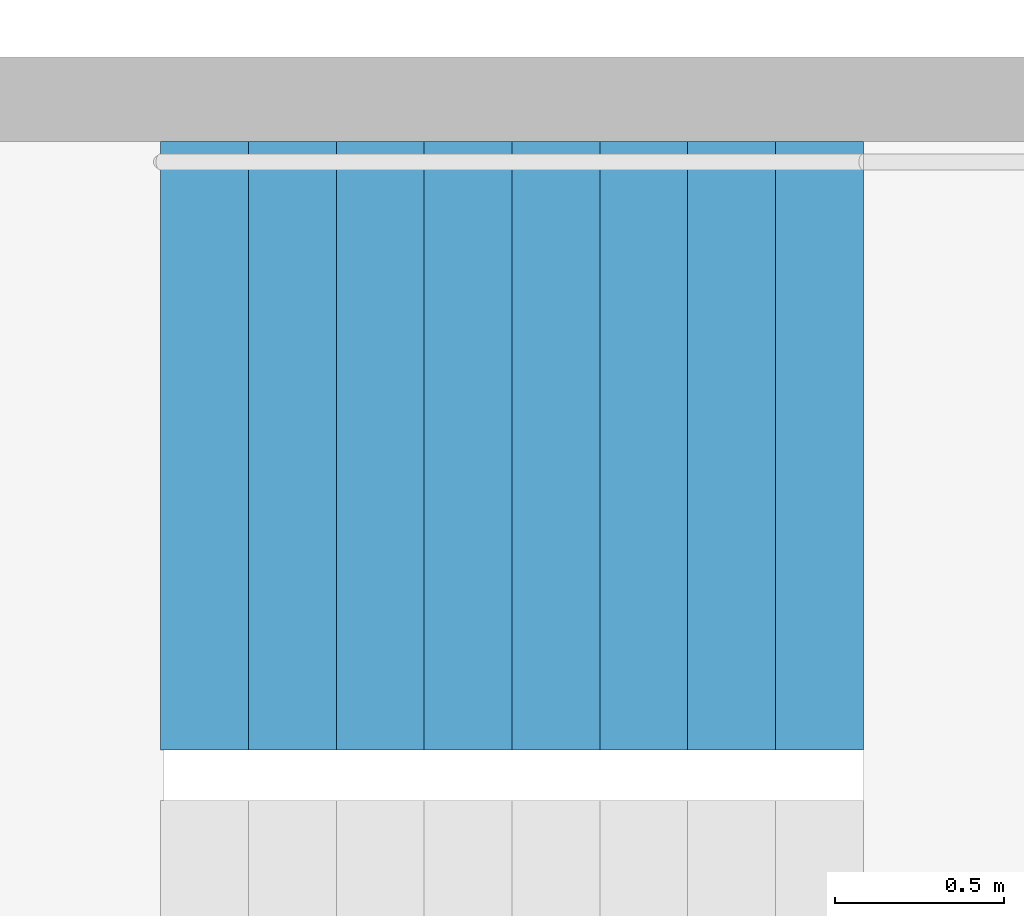
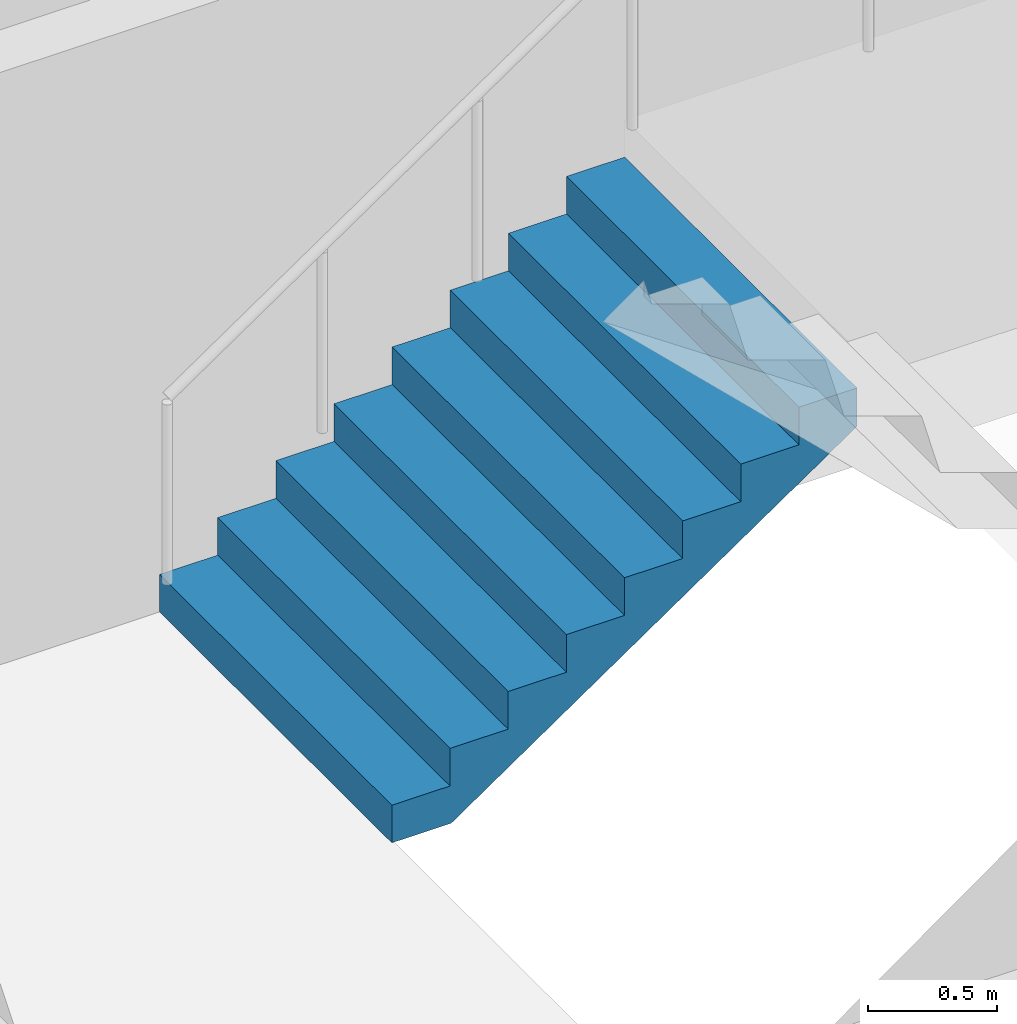
# One storey, part 26 of 29: 1 stair flight, 1 element without a shape of its own.
"""IFC4 building model written with IfcOpenShell, lengths in metres."""

from ifc_helpers import new_model, si_unit, direction, frame, origin, place, context, subcontext, project, spatial, triangles, material, type_object, element, aggregate, save


model = new_model("IFC4")

# Units and contexts
model_context = context("Model", 3, precision=1e-05, world=origin(), true_north=direction((0.0, 1.0)))
body_context = subcontext(model_context, "Body", "Model", "MODEL_VIEW")
ifc_project = project(units=[si_unit("LENGTHUNIT", "METRE"), si_unit("AREAUNIT", "SQUARE_METRE"), si_unit("VOLUMEUNIT", "CUBIC_METRE"), si_unit("PLANEANGLEUNIT", "RADIAN"), si_unit("MASSUNIT", "GRAM", prefix="KILO")], contexts=[model_context])

# Site, building, storey
site_placement = place(None, origin())
site = spatial("IfcSite", under=ifc_project, at=site_placement, CompositionType="ELEMENT")
building_placement = place(site_placement, origin())
building = spatial("IfcBuilding", under=site, at=building_placement, Name="Hakoniwa Tower and Hamabe Station Hall", CompositionType="ELEMENT")
storey_placement = place(building_placement, frame((0.0, 0.0, 78.60009765625)))
storey = spatial("IfcBuildingStorey", under=building, at=storey_placement, Name="L21", CompositionType="ELEMENT", Elevation=78.60009765625)

# Stair, stair flight
ifc_material_1 = material(Name="Concrete C40", Category="concrete")
stair_type = type_object("IfcStairType", Name="ESCAPE STAIR 1800", PredefinedType="HALF_TURN_STAIR", material=ifc_material_1)
stair_placement = place(storey_placement, origin())
stair = element("IfcStair", 1, at=stair_placement, inside=storey, type_object=stair_type, Name="Escape stair ST-4 L21", PredefinedType="HALF_TURN_STAIR")
ifc_material_2 = material(Name="Concrete C40", Category="concrete")
stair_flight_type = type_object("IfcStairFlightType", Name="STAIR FLIGHT 1800", PredefinedType="STRAIGHT", material=ifc_material_2)
stair_flight_placement = place(storey_placement, frame((23.39990234375, -4.64990234375, 0.0), z_axis=(0.0, 0.0, 1.0), x_axis=(1.0, 0.0, 0.0)))
stair_flight = element("IfcStairFlight", 2, at=stair_flight_placement, type_object=stair_flight_type, Name="ST-4 flight 1", NumberOfRisers=9, NumberOfTreads=8, PredefinedType="STRAIGHT", RiserHeight=0.177777778, TreadLength=0.26, context=body_context, shape_type="Tessellation", body=[
    triangles([(0.0, 0.89990234375, 0.0), (0.260009765625, 0.89990234375, 0.0), (0.265625, 0.89990234375, 0.0), (0.52001953125, 0.89990234375, 0.174072265625), (0.780029296875, 0.89990234375, 0.351806640625), (1.0400390625, 0.89990234375, 0.529541015625), (1.300048828125, 0.89990234375, 0.707275390625), (1.56005859375, 0.89990234375, 0.885009765625), (1.820068359375, 0.89990234375, 1.062744140625), (2.080078125, 0.89990234375, 1.24072265625), (2.080078125, 0.89990234375, 1.422119140625), (1.820068359375, 0.89990234375, 1.422119140625), (1.820068359375, 0.89990234375, 1.244384765625), (1.56005859375, 0.89990234375, 1.244384765625), (1.56005859375, 0.89990234375, 1.066650390625), (1.300048828125, 0.89990234375, 1.066650390625), (1.300048828125, 0.89990234375, 0.888916015625), (1.0400390625, 0.89990234375, 0.888916015625), (1.0400390625, 0.89990234375, 0.711181640625), (0.780029296875, 0.89990234375, 0.711181640625), (0.780029296875, 0.89990234375, 0.533447265625), (0.52001953125, 0.89990234375, 0.533447265625), (0.52001953125, 0.89990234375, 0.35546875), (0.265625, 0.89990234375, 0.35546875), (0.260009765625, 0.89990234375, 0.35546875), (0.260009765625, 0.89990234375, 0.177734375), (0.0, 0.89990234375, 0.177734375), (0.0, 0.06005859375, 0.0), (0.260009765625, 0.06005859375, 0.0), (0.265625, 0.06005859375, 0.0), (0.52001953125, 0.06005859375, 0.174072265625), (0.780029296875, 0.06005859375, 0.351806640625), (1.0400390625, 0.06005859375, 0.529541015625), (1.300048828125, 0.06005859375, 0.707275390625), (1.56005859375, 0.06005859375, 0.885009765625), (1.820068359375, 0.06005859375, 1.062744140625), (2.080078125, 0.06005859375, 1.24072265625), (2.080078125, 0.06005859375, 1.422119140625), (1.820068359375, 0.06005859375, 1.422119140625), (1.820068359375, 0.06005859375, 1.244384765625), (1.56005859375, 0.06005859375, 1.244384765625), (1.56005859375, 0.06005859375, 1.066650390625), (1.300048828125, 0.06005859375, 1.066650390625), (1.300048828125, 0.06005859375, 0.888916015625), (1.0400390625, 0.06005859375, 0.888916015625), (1.0400390625, 0.06005859375, 0.711181640625), (0.780029296875, 0.06005859375, 0.711181640625), (0.780029296875, 0.06005859375, 0.533447265625), (0.52001953125, 0.06005859375, 0.533447265625), (0.52001953125, 0.06005859375, 0.35546875), (0.265625, 0.06005859375, 0.35546875), (0.260009765625, 0.06005859375, 0.35546875), (0.260009765625, 0.06005859375, 0.177734375), (0.0, 0.06005859375, 0.177734375), (0.0, 0.04296875, 0.0), (0.260009765625, 0.04296875, 0.0), (0.265625, 0.04296875, 0.0), (0.52001953125, 0.04296875, 0.174072265625), (0.780029296875, 0.04296875, 0.351806640625), (1.0400390625, 0.04296875, 0.529541015625), (1.300048828125, 0.04296875, 0.707275390625), (1.56005859375, 0.04296875, 0.885009765625), (1.820068359375, 0.04296875, 1.062744140625), (2.080078125, 0.04296875, 1.24072265625), (2.080078125, 0.04296875, 1.422119140625), (1.820068359375, 0.04296875, 1.422119140625), (1.820068359375, 0.04296875, 1.244384765625), (1.56005859375, 0.04296875, 1.244384765625), (1.56005859375, 0.04296875, 1.066650390625), (1.300048828125, 0.04296875, 1.066650390625), (1.300048828125, 0.04296875, 0.888916015625), (1.0400390625, 0.04296875, 0.888916015625), (1.0400390625, 0.04296875, 0.711181640625), (0.780029296875, 0.04296875, 0.711181640625), (0.780029296875, 0.04296875, 0.533447265625), (0.52001953125, 0.04296875, 0.533447265625), (0.52001953125, 0.04296875, 0.35546875), (0.265625, 0.04296875, 0.35546875), (0.260009765625, 0.04296875, 0.35546875), (0.260009765625, 0.04296875, 0.177734375), (0.0, 0.04296875, 0.177734375), (0.0, 0.025634765625, 0.0), (0.260009765625, 0.025634765625, 0.0), (0.265625, 0.025634765625, 0.0), (0.52001953125, 0.025634765625, 0.174072265625), (0.780029296875, 0.025634765625, 0.351806640625), (1.0400390625, 0.025634765625, 0.529541015625), (1.300048828125, 0.025634765625, 0.707275390625), (1.56005859375, 0.025634765625, 0.885009765625), (1.820068359375, 0.025634765625, 1.062744140625), (2.080078125, 0.025634765625, 1.24072265625), (2.080078125, 0.025634765625, 1.422119140625), (1.820068359375, 0.025634765625, 1.422119140625), (1.820068359375, 0.025634765625, 1.244384765625), (1.56005859375, 0.025634765625, 1.244384765625), (1.56005859375, 0.025634765625, 1.066650390625), (1.300048828125, 0.025634765625, 1.066650390625), (1.300048828125, 0.025634765625, 0.888916015625), (1.0400390625, 0.025634765625, 0.888916015625), (1.0400390625, 0.025634765625, 0.711181640625), (0.780029296875, 0.025634765625, 0.711181640625), (0.780029296875, 0.025634765625, 0.533447265625), (0.52001953125, 0.025634765625, 0.533447265625), (0.52001953125, 0.025634765625, 0.35546875), (0.265625, 0.025634765625, 0.35546875), (0.260009765625, 0.025634765625, 0.35546875), (0.260009765625, 0.025634765625, 0.177734375), (0.0, 0.025634765625, 0.177734375), (0.0, 0.008544921875, 0.0), (0.260009765625, 0.008544921875, 0.0), (0.265625, 0.008544921875, 0.0), (0.52001953125, 0.008544921875, 0.174072265625), (0.780029296875, 0.008544921875, 0.351806640625), (1.0400390625, 0.008544921875, 0.529541015625), (1.300048828125, 0.008544921875, 0.707275390625), (1.56005859375, 0.008544921875, 0.885009765625), (1.820068359375, 0.008544921875, 1.062744140625), (2.080078125, 0.008544921875, 1.24072265625), (2.080078125, 0.008544921875, 1.422119140625), (1.820068359375, 0.008544921875, 1.422119140625), (1.820068359375, 0.008544921875, 1.244384765625), (1.56005859375, 0.008544921875, 1.244384765625), (1.56005859375, 0.008544921875, 1.066650390625), (1.300048828125, 0.008544921875, 1.066650390625), (1.300048828125, 0.008544921875, 0.888916015625), (1.0400390625, 0.008544921875, 0.888916015625), (1.0400390625, 0.008544921875, 0.711181640625), (0.780029296875, 0.008544921875, 0.711181640625), (0.780029296875, 0.008544921875, 0.533447265625), (0.52001953125, 0.008544921875, 0.533447265625), (0.52001953125, 0.008544921875, 0.35546875), (0.265625, 0.008544921875, 0.35546875), (0.260009765625, 0.008544921875, 0.35546875), (0.260009765625, 0.008544921875, 0.177734375), (0.0, 0.008544921875, 0.177734375), (0.0, -0.008544921875, 0.0), (0.260009765625, -0.008544921875, 0.0), (0.265625, -0.008544921875, 0.0), (0.52001953125, -0.008544921875, 0.174072265625), (0.780029296875, -0.008544921875, 0.351806640625), (1.0400390625, -0.008544921875, 0.529541015625), (1.300048828125, -0.008544921875, 0.707275390625), (1.56005859375, -0.008544921875, 0.885009765625), (1.820068359375, -0.008544921875, 1.062744140625), (2.080078125, -0.008544921875, 1.24072265625), (2.080078125, -0.008544921875, 1.422119140625), (1.820068359375, -0.008544921875, 1.422119140625), (1.820068359375, -0.008544921875, 1.244384765625), (1.56005859375, -0.008544921875, 1.244384765625), (1.56005859375, -0.008544921875, 1.066650390625), (1.300048828125, -0.008544921875, 1.066650390625), (1.300048828125, -0.008544921875, 0.888916015625), (1.0400390625, -0.008544921875, 0.888916015625), (1.0400390625, -0.008544921875, 0.711181640625), (0.780029296875, -0.008544921875, 0.711181640625), (0.780029296875, -0.008544921875, 0.533447265625), (0.52001953125, -0.008544921875, 0.533447265625), (0.52001953125, -0.008544921875, 0.35546875), (0.265625, -0.008544921875, 0.35546875), (0.260009765625, -0.008544921875, 0.35546875), (0.260009765625, -0.008544921875, 0.177734375), (0.0, -0.008544921875, 0.177734375), (0.0, -0.025634765625, 0.0), (0.260009765625, -0.025634765625, 0.0), (0.265625, -0.025634765625, 0.0), (0.52001953125, -0.025634765625, 0.174072265625), (0.780029296875, -0.025634765625, 0.351806640625), (1.0400390625, -0.025634765625, 0.529541015625), (1.300048828125, -0.025634765625, 0.707275390625), (1.56005859375, -0.025634765625, 0.885009765625), (1.820068359375, -0.025634765625, 1.062744140625), (2.080078125, -0.025634765625, 1.24072265625), (2.080078125, -0.025634765625, 1.422119140625), (1.820068359375, -0.025634765625, 1.422119140625), (1.820068359375, -0.025634765625, 1.244384765625), (1.56005859375, -0.025634765625, 1.244384765625), (1.56005859375, -0.025634765625, 1.066650390625), (1.300048828125, -0.025634765625, 1.066650390625), (1.300048828125, -0.025634765625, 0.888916015625), (1.0400390625, -0.025634765625, 0.888916015625), (1.0400390625, -0.025634765625, 0.711181640625), (0.780029296875, -0.025634765625, 0.711181640625), (0.780029296875, -0.025634765625, 0.533447265625), (0.52001953125, -0.025634765625, 0.533447265625), (0.52001953125, -0.025634765625, 0.35546875), (0.265625, -0.025634765625, 0.35546875), (0.260009765625, -0.025634765625, 0.35546875), (0.260009765625, -0.025634765625, 0.177734375), (0.0, -0.025634765625, 0.177734375), (0.0, -0.04296875, 0.0), (0.260009765625, -0.04296875, 0.0), (0.265625, -0.04296875, 0.0), (0.52001953125, -0.04296875, 0.174072265625), (0.780029296875, -0.04296875, 0.351806640625), (1.0400390625, -0.04296875, 0.529541015625), (1.300048828125, -0.04296875, 0.707275390625), (1.56005859375, -0.04296875, 0.885009765625), (1.820068359375, -0.04296875, 1.062744140625), (2.080078125, -0.04296875, 1.24072265625), (2.080078125, -0.04296875, 1.422119140625), (1.820068359375, -0.04296875, 1.422119140625), (1.820068359375, -0.04296875, 1.244384765625), (1.56005859375, -0.04296875, 1.244384765625), (1.56005859375, -0.04296875, 1.066650390625), (1.300048828125, -0.04296875, 1.066650390625), (1.300048828125, -0.04296875, 0.888916015625), (1.0400390625, -0.04296875, 0.888916015625), (1.0400390625, -0.04296875, 0.711181640625), (0.780029296875, -0.04296875, 0.711181640625), (0.780029296875, -0.04296875, 0.533447265625), (0.52001953125, -0.04296875, 0.533447265625), (0.52001953125, -0.04296875, 0.35546875), (0.265625, -0.04296875, 0.35546875), (0.260009765625, -0.04296875, 0.35546875), (0.260009765625, -0.04296875, 0.177734375), (0.0, -0.04296875, 0.177734375), (0.0, -0.06005859375, 0.0), (0.260009765625, -0.06005859375, 0.0), (0.265625, -0.06005859375, 0.0), (0.52001953125, -0.06005859375, 0.174072265625), (0.780029296875, -0.06005859375, 0.351806640625), (1.0400390625, -0.06005859375, 0.529541015625), (1.300048828125, -0.06005859375, 0.707275390625), (1.56005859375, -0.06005859375, 0.885009765625), (1.820068359375, -0.06005859375, 1.062744140625), (2.080078125, -0.06005859375, 1.24072265625), (2.080078125, -0.06005859375, 1.422119140625), (1.820068359375, -0.06005859375, 1.422119140625), (1.820068359375, -0.06005859375, 1.244384765625), (1.56005859375, -0.06005859375, 1.244384765625), (1.56005859375, -0.06005859375, 1.066650390625), (1.300048828125, -0.06005859375, 1.066650390625), (1.300048828125, -0.06005859375, 0.888916015625), (1.0400390625, -0.06005859375, 0.888916015625), (1.0400390625, -0.06005859375, 0.711181640625), (0.780029296875, -0.06005859375, 0.711181640625), (0.780029296875, -0.06005859375, 0.533447265625), (0.52001953125, -0.06005859375, 0.533447265625), (0.52001953125, -0.06005859375, 0.35546875), (0.265625, -0.06005859375, 0.35546875), (0.260009765625, -0.06005859375, 0.35546875), (0.260009765625, -0.06005859375, 0.177734375), (0.0, -0.06005859375, 0.177734375), (0.0, -0.89990234375, 0.0), (0.260009765625, -0.89990234375, 0.0), (0.265625, -0.89990234375, 0.0), (0.52001953125, -0.89990234375, 0.174072265625), (0.780029296875, -0.89990234375, 0.351806640625), (1.0400390625, -0.89990234375, 0.529541015625), (1.300048828125, -0.89990234375, 0.707275390625), (1.56005859375, -0.89990234375, 0.885009765625), (1.820068359375, -0.89990234375, 1.062744140625), (2.080078125, -0.89990234375, 1.24072265625), (2.080078125, -0.89990234375, 1.422119140625), (1.820068359375, -0.89990234375, 1.422119140625), (1.820068359375, -0.89990234375, 1.244384765625), (1.56005859375, -0.89990234375, 1.244384765625), (1.56005859375, -0.89990234375, 1.066650390625), (1.300048828125, -0.89990234375, 1.066650390625), (1.300048828125, -0.89990234375, 0.888916015625), (1.0400390625, -0.89990234375, 0.888916015625), (1.0400390625, -0.89990234375, 0.711181640625), (0.780029296875, -0.89990234375, 0.711181640625), (0.780029296875, -0.89990234375, 0.533447265625), (0.52001953125, -0.89990234375, 0.533447265625), (0.52001953125, -0.89990234375, 0.35546875), (0.265625, -0.89990234375, 0.35546875), (0.260009765625, -0.89990234375, 0.35546875), (0.260009765625, -0.89990234375, 0.177734375), (0.0, -0.89990234375, 0.177734375)], [[2, 27, 26], [245, 269, 270], [2, 1, 27], [245, 270, 244], [3, 25, 24], [246, 267, 268], [3, 26, 25], [246, 268, 269], [3, 2, 26], [246, 269, 245], [4, 24, 23], [247, 266, 267], [4, 3, 24], [247, 267, 246], [5, 22, 21], [248, 264, 265], [5, 23, 22], [248, 265, 266], [5, 4, 23], [248, 266, 247], [6, 20, 19], [249, 262, 263], [6, 21, 20], [249, 263, 264], [6, 5, 21], [249, 264, 248], [7, 18, 17], [250, 260, 261], [7, 19, 18], [250, 261, 262], [7, 6, 19], [250, 262, 249], [8, 16, 15], [251, 258, 259], [8, 17, 16], [251, 259, 260], [8, 7, 17], [251, 260, 250], [9, 14, 13], [252, 256, 257], [9, 15, 14], [252, 257, 258], [9, 8, 15], [252, 258, 251], [10, 12, 11], [253, 254, 255], [10, 13, 12], [253, 255, 256], [10, 9, 13], [253, 256, 252], [1, 2, 29], [1, 29, 28], [28, 29, 56], [28, 56, 55], [55, 56, 83], [55, 83, 82], [82, 83, 110], [82, 110, 109], [109, 110, 137], [109, 137, 136], [136, 137, 164], [136, 164, 163], [163, 164, 191], [163, 191, 190], [190, 191, 218], [190, 218, 217], [217, 218, 245], [217, 245, 244], [2, 3, 30], [2, 30, 29], [29, 30, 57], [29, 57, 56], [56, 57, 84], [56, 84, 83], [83, 84, 111], [83, 111, 110], [110, 111, 138], [110, 138, 137], [137, 138, 165], [137, 165, 164], [164, 165, 192], [164, 192, 191], [191, 192, 219], [191, 219, 218], [218, 219, 246], [218, 246, 245], [3, 4, 31], [3, 31, 30], [30, 31, 58], [30, 58, 57], [57, 58, 85], [57, 85, 84], [84, 85, 112], [84, 112, 111], [111, 112, 139], [111, 139, 138], [138, 139, 166], [138, 166, 165], [165, 166, 193], [165, 193, 192], [192, 193, 220], [192, 220, 219], [219, 220, 247], [219, 247, 246], [4, 5, 32], [4, 32, 31], [31, 32, 59], [31, 59, 58], [58, 59, 86], [58, 86, 85], [85, 86, 113], [85, 113, 112], [112, 113, 140], [112, 140, 139], [139, 140, 167], [139, 167, 166], [166, 167, 194], [166, 194, 193], [193, 194, 221], [193, 221, 220], [220, 221, 248], [220, 248, 247], [5, 6, 33], [5, 33, 32], [32, 33, 60], [32, 60, 59], [59, 60, 87], [59, 87, 86], [86, 87, 114], [86, 114, 113], [113, 114, 141], [113, 141, 140], [140, 141, 168], [140, 168, 167], [167, 168, 195], [167, 195, 194], [194, 195, 222], [194, 222, 221], [221, 222, 249], [221, 249, 248], [6, 7, 34], [6, 34, 33], [33, 34, 61], [33, 61, 60], [60, 61, 88], [60, 88, 87], [87, 88, 115], [87, 115, 114], [114, 115, 142], [114, 142, 141], [141, 142, 169], [141, 169, 168], [168, 169, 196], [168, 196, 195], [195, 196, 223], [195, 223, 222], [222, 223, 250], [222, 250, 249], [7, 8, 35], [7, 35, 34], [34, 35, 62], [34, 62, 61], [61, 62, 89], [61, 89, 88], [88, 89, 116], [88, 116, 115], [115, 116, 143], [115, 143, 142], [142, 143, 170], [142, 170, 169], [169, 170, 197], [169, 197, 196], [196, 197, 224], [196, 224, 223], [223, 224, 251], [223, 251, 250], [8, 9, 36], [8, 36, 35], [35, 36, 63], [35, 63, 62], [62, 63, 90], [62, 90, 89], [89, 90, 117], [89, 117, 116], [116, 117, 144], [116, 144, 143], [143, 144, 171], [143, 171, 170], [170, 171, 198], [170, 198, 197], [197, 198, 225], [197, 225, 224], [224, 225, 252], [224, 252, 251], [9, 10, 37], [9, 37, 36], [36, 37, 64], [36, 64, 63], [63, 64, 91], [63, 91, 90], [90, 91, 118], [90, 118, 117], [117, 118, 145], [117, 145, 144], [144, 145, 172], [144, 172, 171], [171, 172, 199], [171, 199, 198], [198, 199, 226], [198, 226, 225], [225, 226, 253], [225, 253, 252], [10, 11, 38], [10, 38, 37], [37, 38, 65], [37, 65, 64], [64, 65, 92], [64, 92, 91], [91, 92, 119], [91, 119, 118], [118, 119, 146], [118, 146, 145], [145, 146, 173], [145, 173, 172], [172, 173, 200], [172, 200, 199], [199, 200, 227], [199, 227, 226], [226, 227, 254], [226, 254, 253], [11, 12, 39], [11, 39, 38], [38, 39, 66], [38, 66, 65], [65, 66, 93], [65, 93, 92], [92, 93, 120], [92, 120, 119], [119, 120, 147], [119, 147, 146], [146, 147, 174], [146, 174, 173], [173, 174, 201], [173, 201, 200], [200, 201, 228], [200, 228, 227], [227, 228, 255], [227, 255, 254], [12, 13, 40], [12, 40, 39], [39, 40, 67], [39, 67, 66], [66, 67, 94], [66, 94, 93], [93, 94, 121], [93, 121, 120], [120, 121, 148], [120, 148, 147], [147, 148, 175], [147, 175, 174], [174, 175, 202], [174, 202, 201], [201, 202, 229], [201, 229, 228], [228, 229, 256], [228, 256, 255], [13, 14, 41], [13, 41, 40], [40, 41, 68], [40, 68, 67], [67, 68, 95], [67, 95, 94], [94, 95, 122], [94, 122, 121], [121, 122, 149], [121, 149, 148], [148, 149, 176], [148, 176, 175], [175, 176, 203], [175, 203, 202], [202, 203, 230], [202, 230, 229], [229, 230, 257], [229, 257, 256], [14, 15, 42], [14, 42, 41], [41, 42, 69], [41, 69, 68], [68, 69, 96], [68, 96, 95], [95, 96, 123], [95, 123, 122], [122, 123, 150], [122, 150, 149], [149, 150, 177], [149, 177, 176], [176, 177, 204], [176, 204, 203], [203, 204, 231], [203, 231, 230], [230, 231, 258], [230, 258, 257], [15, 16, 43], [15, 43, 42], [42, 43, 70], [42, 70, 69], [69, 70, 97], [69, 97, 96], [96, 97, 124], [96, 124, 123], [123, 124, 151], [123, 151, 150], [150, 151, 178], [150, 178, 177], [177, 178, 205], [177, 205, 204], [204, 205, 232], [204, 232, 231], [231, 232, 259], [231, 259, 258], [16, 17, 44], [16, 44, 43], [43, 44, 71], [43, 71, 70], [70, 71, 98], [70, 98, 97], [97, 98, 125], [97, 125, 124], [124, 125, 152], [124, 152, 151], [151, 152, 179], [151, 179, 178], [178, 179, 206], [178, 206, 205], [205, 206, 233], [205, 233, 232], [232, 233, 260], [232, 260, 259], [17, 18, 45], [17, 45, 44], [44, 45, 72], [44, 72, 71], [71, 72, 99], [71, 99, 98], [98, 99, 126], [98, 126, 125], [125, 126, 153], [125, 153, 152], [152, 153, 180], [152, 180, 179], [179, 180, 207], [179, 207, 206], [206, 207, 234], [206, 234, 233], [233, 234, 261], [233, 261, 260], [18, 19, 46], [18, 46, 45], [45, 46, 73], [45, 73, 72], [72, 73, 100], [72, 100, 99], [99, 100, 127], [99, 127, 126], [126, 127, 154], [126, 154, 153], [153, 154, 181], [153, 181, 180], [180, 181, 208], [180, 208, 207], [207, 208, 235], [207, 235, 234], [234, 235, 262], [234, 262, 261], [19, 20, 47], [19, 47, 46], [46, 47, 74], [46, 74, 73], [73, 74, 101], [73, 101, 100], [100, 101, 128], [100, 128, 127], [127, 128, 155], [127, 155, 154], [154, 155, 182], [154, 182, 181], [181, 182, 209], [181, 209, 208], [208, 209, 236], [208, 236, 235], [235, 236, 263], [235, 263, 262], [20, 21, 48], [20, 48, 47], [47, 48, 75], [47, 75, 74], [74, 75, 102], [74, 102, 101], [101, 102, 129], [101, 129, 128], [128, 129, 156], [128, 156, 155], [155, 156, 183], [155, 183, 182], [182, 183, 210], [182, 210, 209], [209, 210, 237], [209, 237, 236], [236, 237, 264], [236, 264, 263], [21, 22, 49], [21, 49, 48], [48, 49, 76], [48, 76, 75], [75, 76, 103], [75, 103, 102], [102, 103, 130], [102, 130, 129], [129, 130, 157], [129, 157, 156], [156, 157, 184], [156, 184, 183], [183, 184, 211], [183, 211, 210], [210, 211, 238], [210, 238, 237], [237, 238, 265], [237, 265, 264], [22, 23, 50], [22, 50, 49], [49, 50, 77], [49, 77, 76], [76, 77, 104], [76, 104, 103], [103, 104, 131], [103, 131, 130], [130, 131, 158], [130, 158, 157], [157, 158, 185], [157, 185, 184], [184, 185, 212], [184, 212, 211], [211, 212, 239], [211, 239, 238], [238, 239, 266], [238, 266, 265], [23, 24, 51], [23, 51, 50], [50, 51, 78], [50, 78, 77], [77, 78, 105], [77, 105, 104], [104, 105, 132], [104, 132, 131], [131, 132, 159], [131, 159, 158], [158, 159, 186], [158, 186, 185], [185, 186, 213], [185, 213, 212], [212, 213, 240], [212, 240, 239], [239, 240, 267], [239, 267, 266], [24, 25, 52], [24, 52, 51], [51, 52, 79], [51, 79, 78], [78, 79, 106], [78, 106, 105], [105, 106, 133], [105, 133, 132], [132, 133, 160], [132, 160, 159], [159, 160, 187], [159, 187, 186], [186, 187, 214], [186, 214, 213], [213, 214, 241], [213, 241, 240], [240, 241, 268], [240, 268, 267], [25, 26, 53], [25, 53, 52], [52, 53, 80], [52, 80, 79], [79, 80, 107], [79, 107, 106], [106, 107, 134], [106, 134, 133], [133, 134, 161], [133, 161, 160], [160, 161, 188], [160, 188, 187], [187, 188, 215], [187, 215, 214], [214, 215, 242], [214, 242, 241], [241, 242, 269], [241, 269, 268], [26, 27, 54], [26, 54, 53], [53, 54, 81], [53, 81, 80], [80, 81, 108], [80, 108, 107], [107, 108, 135], [107, 135, 134], [134, 135, 162], [134, 162, 161], [161, 162, 189], [161, 189, 188], [188, 189, 216], [188, 216, 215], [215, 216, 243], [215, 243, 242], [242, 243, 270], [242, 270, 269], [27, 1, 28], [27, 28, 54], [54, 28, 55], [54, 55, 81], [81, 55, 82], [81, 82, 108], [108, 82, 109], [108, 109, 135], [135, 109, 136], [135, 136, 162], [162, 136, 163], [162, 163, 189], [189, 163, 190], [189, 190, 216], [216, 190, 217], [216, 217, 243], [243, 217, 244], [243, 244, 270]], closed=True),
])
aggregate(stair, [stair_flight])

save(model, "model.ifc")
